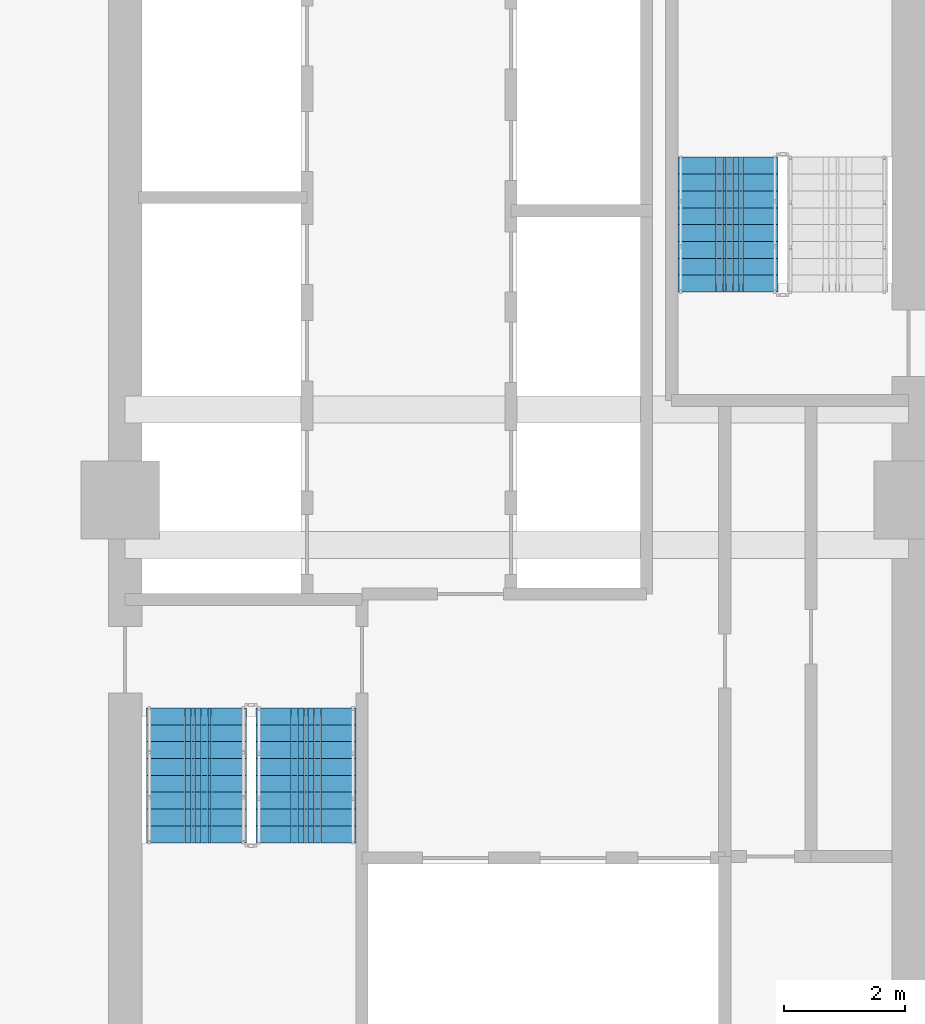
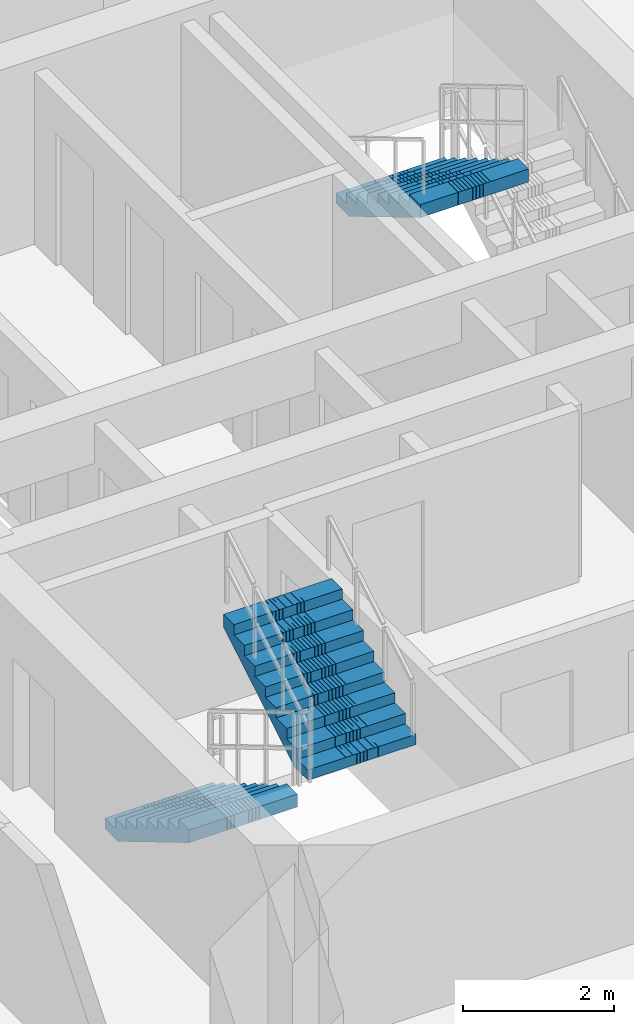
# One storey, part 21 of 26: 3 stair flights, 2 elements without a shape of their own.
"""IFC4 building model written with IfcOpenShell, lengths in metres."""

from ifc_helpers import new_model, si_unit, direction, frame, origin, place, context, subcontext, project, spatial, polyline, outline, extrude, material, type_object, element, aggregate, save


model = new_model("IFC4")

# Units and contexts
model_context = context("Model", 3, precision=1e-05, world=origin(), true_north=direction((0.0, 1.0)))
body_context = subcontext(model_context, "Body", "Model", "MODEL_VIEW")
ifc_project = project(units=[si_unit("LENGTHUNIT", "METRE"), si_unit("AREAUNIT", "SQUARE_METRE"), si_unit("VOLUMEUNIT", "CUBIC_METRE"), si_unit("PLANEANGLEUNIT", "RADIAN"), si_unit("MASSUNIT", "GRAM", prefix="KILO")], contexts=[model_context])

# Site, building, storey
site_placement = place(None, origin())
site = spatial("IfcSite", under=ifc_project, at=site_placement, CompositionType="ELEMENT")
building_placement = place(site_placement, origin())
building = spatial("IfcBuilding", under=site, at=building_placement, Name="Saelheon Loggia Tower", CompositionType="ELEMENT")
storey_placement = place(building_placement, frame((0.0, 0.0, 89.85009765625)))
storey = spatial("IfcBuildingStorey", under=building, at=storey_placement, Name="L28", CompositionType="ELEMENT", Elevation=89.85009765625)

# Stair, stair flights
ifc_material = material(Name="Concrete C40/50", Category="concrete")
stair_type = type_object("IfcStairType", Name="Stair_Escape_Core", PredefinedType="HALF_TURN_STAIR", material=ifc_material)
stair_1_placement = place(storey_placement, origin())
stair_1 = element("IfcStair", 1, at=stair_1_placement, inside=storey, type_object=stair_type, Name="L28 Special Escape Stair ST1", PredefinedType="HALF_TURN_STAIR")
stair_flight_type = type_object("IfcStairFlightType", Name="StairFlight_Tower_1660", PredefinedType="STRAIGHT", material=ifc_material)
stair_flight_1_placement = place(storey_placement, frame((32.679931640625, 23.550048828125, 0.0), z_axis=(0.0, 0.0, 1.0), x_axis=(0.0, -1.0, 0.0)))
stair_flight_1 = element("IfcStairFlight", 2, at=stair_flight_1_placement, type_object=stair_flight_type, Name="ST1 flight 1", NumberOfRisers=9, NumberOfTreads=8, PredefinedType="STRAIGHT", RiserHeight=0.166666667, TreadLength=0.28, context=body_context, shape_type="SweptSolid", body=[
    extrude(outline(polyline([(0.0, 0.0), (0.0, 0.166748046875), (0.280029296875, 0.166748046875), (0.280029296875, 0.333251953125), (0.56005859375, 0.333251953125), (0.56005859375, 0.5), (0.840087890625, 0.5), (0.840087890625, 0.666748046875), (1.1201171875, 0.666748046875), (1.1201171875, 0.833251953125), (1.39990234375, 0.833251953125), (1.39990234375, 1.0), (1.679931640625, 1.0), (1.679931640625, 1.166748046875), (1.9599609375, 1.166748046875), (1.9599609375, 1.333251953125), (2.239990234375, 1.333251953125), (2.239990234375, 1.5), (2.239990234375, 1.1240234375), (0.351806640625, 0.0), (0.0, 0.0)])), frame((0.0, -0.2490234375, 0.0), z_axis=(0.0, -1.0, 0.0), x_axis=(1.0, 0.0, 0.0)), (0.0, 0.0, 1.0), 0.5810546875),
    extrude(outline(polyline([(0.0, 0.0), (0.0, 0.166748046875), (0.280029296875, 0.166748046875), (0.280029296875, 0.333251953125), (0.56005859375, 0.333251953125), (0.56005859375, 0.5), (0.840087890625, 0.5), (0.840087890625, 0.666748046875), (1.1201171875, 0.666748046875), (1.1201171875, 0.833251953125), (1.39990234375, 0.833251953125), (1.39990234375, 1.0), (1.679931640625, 1.0), (1.679931640625, 1.166748046875), (1.9599609375, 1.166748046875), (1.9599609375, 1.333251953125), (2.239990234375, 1.333251953125), (2.239990234375, 1.5), (2.239990234375, 1.1240234375), (0.351806640625, 0.0), (0.0, 0.0)])), frame((0.0, -0.194091796875, 0.0), z_axis=(0.0, -1.0, 0.0), x_axis=(1.0, 0.0, 0.0)), (0.0, 0.0, 1.0), 0.0498046875),
    extrude(outline(polyline([(0.0, 0.0), (0.0, 0.166748046875), (0.280029296875, 0.166748046875), (0.280029296875, 0.333251953125), (0.56005859375, 0.333251953125), (0.56005859375, 0.5), (0.840087890625, 0.5), (0.840087890625, 0.666748046875), (1.1201171875, 0.666748046875), (1.1201171875, 0.833251953125), (1.39990234375, 0.833251953125), (1.39990234375, 1.0), (1.679931640625, 1.0), (1.679931640625, 1.166748046875), (1.9599609375, 1.166748046875), (1.9599609375, 1.333251953125), (2.239990234375, 1.333251953125), (2.239990234375, 1.5), (2.239990234375, 1.1240234375), (0.351806640625, 0.0), (0.0, 0.0)])), frame((0.0, -0.139404296875, 0.0), z_axis=(0.0, -1.0, 0.0), x_axis=(1.0, 0.0, 0.0)), (0.0, 0.0, 1.0), 0.0498046875),
    extrude(outline(polyline([(0.0, 0.0), (0.0, 0.166748046875), (0.280029296875, 0.166748046875), (0.280029296875, 0.333251953125), (0.56005859375, 0.333251953125), (0.56005859375, 0.5), (0.840087890625, 0.5), (0.840087890625, 0.666748046875), (1.1201171875, 0.666748046875), (1.1201171875, 0.833251953125), (1.39990234375, 0.833251953125), (1.39990234375, 1.0), (1.679931640625, 1.0), (1.679931640625, 1.166748046875), (1.9599609375, 1.166748046875), (1.9599609375, 1.333251953125), (2.239990234375, 1.333251953125), (2.239990234375, 1.5), (2.239990234375, 1.1240234375), (0.351806640625, 0.0), (0.0, 0.0)])), frame((0.0, -0.084716796875, 0.0), z_axis=(0.0, -1.0, 0.0), x_axis=(1.0, 0.0, 0.0)), (0.0, 0.0, 1.0), 0.0498046875),
    extrude(outline(polyline([(0.0, 0.0), (0.0, 0.166748046875), (0.280029296875, 0.166748046875), (0.280029296875, 0.333251953125), (0.56005859375, 0.333251953125), (0.56005859375, 0.5), (0.840087890625, 0.5), (0.840087890625, 0.666748046875), (1.1201171875, 0.666748046875), (1.1201171875, 0.833251953125), (1.39990234375, 0.833251953125), (1.39990234375, 1.0), (1.679931640625, 1.0), (1.679931640625, 1.166748046875), (1.9599609375, 1.166748046875), (1.9599609375, 1.333251953125), (2.239990234375, 1.333251953125), (2.239990234375, 1.5), (2.239990234375, 1.1240234375), (0.351806640625, 0.0), (0.0, 0.0)])), frame((0.0, -0.02978515625, 0.0), z_axis=(0.0, -1.0, 0.0), x_axis=(1.0, 0.0, 0.0)), (0.0, 0.0, 1.0), 0.0498046875),
    extrude(outline(polyline([(0.0, 0.0), (0.0, 0.166748046875), (0.280029296875, 0.166748046875), (0.280029296875, 0.333251953125), (0.56005859375, 0.333251953125), (0.56005859375, 0.5), (0.840087890625, 0.5), (0.840087890625, 0.666748046875), (1.1201171875, 0.666748046875), (1.1201171875, 0.833251953125), (1.39990234375, 0.833251953125), (1.39990234375, 1.0), (1.679931640625, 1.0), (1.679931640625, 1.166748046875), (1.9599609375, 1.166748046875), (1.9599609375, 1.333251953125), (2.239990234375, 1.333251953125), (2.239990234375, 1.5), (2.239990234375, 1.1240234375), (0.351806640625, 0.0), (0.0, 0.0)])), frame((0.0, 0.02490234375, 0.0), z_axis=(0.0, -1.0, 0.0), x_axis=(1.0, 0.0, 0.0)), (0.0, 0.0, 1.0), 0.0498046875),
    extrude(outline(polyline([(0.0, 0.0), (0.0, 0.166748046875), (0.280029296875, 0.166748046875), (0.280029296875, 0.333251953125), (0.56005859375, 0.333251953125), (0.56005859375, 0.5), (0.840087890625, 0.5), (0.840087890625, 0.666748046875), (1.1201171875, 0.666748046875), (1.1201171875, 0.833251953125), (1.39990234375, 0.833251953125), (1.39990234375, 1.0), (1.679931640625, 1.0), (1.679931640625, 1.166748046875), (1.9599609375, 1.166748046875), (1.9599609375, 1.333251953125), (2.239990234375, 1.333251953125), (2.239990234375, 1.5), (2.239990234375, 1.1240234375), (0.351806640625, 0.0), (0.0, 0.0)])), frame((0.0, 0.07958984375, 0.0), z_axis=(0.0, -1.0, 0.0), x_axis=(1.0, 0.0, 0.0)), (0.0, 0.0, 1.0), 0.0498046875),
    extrude(outline(polyline([(0.0, 0.0), (0.0, 0.166748046875), (0.280029296875, 0.166748046875), (0.280029296875, 0.333251953125), (0.56005859375, 0.333251953125), (0.56005859375, 0.5), (0.840087890625, 0.5), (0.840087890625, 0.666748046875), (1.1201171875, 0.666748046875), (1.1201171875, 0.833251953125), (1.39990234375, 0.833251953125), (1.39990234375, 1.0), (1.679931640625, 1.0), (1.679931640625, 1.166748046875), (1.9599609375, 1.166748046875), (1.9599609375, 1.333251953125), (2.239990234375, 1.333251953125), (2.239990234375, 1.5), (2.239990234375, 1.1240234375), (0.351806640625, 0.0), (0.0, 0.0)])), frame((0.0, 0.134521484375, 0.0), z_axis=(0.0, -1.0, 0.0), x_axis=(1.0, 0.0, 0.0)), (0.0, 0.0, 1.0), 0.0498046875),
    extrude(outline(polyline([(0.0, 0.0), (0.0, 0.166748046875), (0.280029296875, 0.166748046875), (0.280029296875, 0.333251953125), (0.56005859375, 0.333251953125), (0.56005859375, 0.5), (0.840087890625, 0.5), (0.840087890625, 0.666748046875), (1.1201171875, 0.666748046875), (1.1201171875, 0.833251953125), (1.39990234375, 0.833251953125), (1.39990234375, 1.0), (1.679931640625, 1.0), (1.679931640625, 1.166748046875), (1.9599609375, 1.166748046875), (1.9599609375, 1.333251953125), (2.239990234375, 1.333251953125), (2.239990234375, 1.5), (2.239990234375, 1.1240234375), (0.351806640625, 0.0), (0.0, 0.0)])), frame((0.0, 0.189208984375, 0.0), z_axis=(0.0, -1.0, 0.0), x_axis=(1.0, 0.0, 0.0)), (0.0, 0.0, 1.0), 0.0498046875),
    extrude(outline(polyline([(0.0, 0.0), (0.0, 0.166748046875), (0.280029296875, 0.166748046875), (0.280029296875, 0.333251953125), (0.56005859375, 0.333251953125), (0.56005859375, 0.5), (0.840087890625, 0.5), (0.840087890625, 0.666748046875), (1.1201171875, 0.666748046875), (1.1201171875, 0.833251953125), (1.39990234375, 0.833251953125), (1.39990234375, 1.0), (1.679931640625, 1.0), (1.679931640625, 1.166748046875), (1.9599609375, 1.166748046875), (1.9599609375, 1.333251953125), (2.239990234375, 1.333251953125), (2.239990234375, 1.5), (2.239990234375, 1.1240234375), (0.351806640625, 0.0), (0.0, 0.0)])), frame((0.0, 0.243896484375, 0.0), z_axis=(0.0, -1.0, 0.0), x_axis=(1.0, 0.0, 0.0)), (0.0, 0.0, 1.0), 0.0498046875),
    extrude(outline(polyline([(0.0, 0.0), (0.0, 0.166748046875), (0.280029296875, 0.166748046875), (0.280029296875, 0.333251953125), (0.56005859375, 0.333251953125), (0.56005859375, 0.5), (0.840087890625, 0.5), (0.840087890625, 0.666748046875), (1.1201171875, 0.666748046875), (1.1201171875, 0.833251953125), (1.39990234375, 0.833251953125), (1.39990234375, 1.0), (1.679931640625, 1.0), (1.679931640625, 1.166748046875), (1.9599609375, 1.166748046875), (1.9599609375, 1.333251953125), (2.239990234375, 1.333251953125), (2.239990234375, 1.5), (2.239990234375, 1.1240234375), (0.351806640625, 0.0), (0.0, 0.0)])), frame((0.0, 0.830078125, 0.0), z_axis=(0.0, -1.0, 0.0), x_axis=(1.0, 0.0, 0.0)), (0.0, 0.0, 1.0), 0.5810546875),
])
stair_flight_2_placement = place(storey_placement, frame((34.5, 21.31005859375, 1.5), z_axis=(0.0, 0.0, 1.0), x_axis=(0.0, 1.0, 0.0)))
stair_flight_2 = element("IfcStairFlight", 3, at=stair_flight_2_placement, type_object=stair_flight_type, Name="ST1 flight 2", NumberOfRisers=9, NumberOfTreads=8, PredefinedType="STRAIGHT", RiserHeight=0.166666667, TreadLength=0.28, context=body_context, shape_type="SweptSolid", body=[
    extrude(outline(polyline([(0.0, 0.0), (0.0, 0.166748046875), (0.280029296875, 0.166748046875), (0.280029296875, 0.333251953125), (0.56005859375, 0.333251953125), (0.56005859375, 0.5), (0.840087890625, 0.5), (0.840087890625, 0.666748046875), (1.1201171875, 0.666748046875), (1.1201171875, 0.833251953125), (1.39990234375, 0.833251953125), (1.39990234375, 1.0), (1.679931640625, 1.0), (1.679931640625, 1.166748046875), (1.9599609375, 1.166748046875), (1.9599609375, 1.333251953125), (2.239990234375, 1.333251953125), (2.239990234375, 1.5), (2.239990234375, 1.1240234375), (0.351806640625, 0.0), (0.0, 0.0)])), frame((0.0, -0.2490234375, 0.0), z_axis=(0.0, -1.0, 0.0), x_axis=(1.0, 0.0, 0.0)), (0.0, 0.0, 1.0), 0.5810546875),
    extrude(outline(polyline([(0.0, 0.0), (0.0, 0.166748046875), (0.280029296875, 0.166748046875), (0.280029296875, 0.333251953125), (0.56005859375, 0.333251953125), (0.56005859375, 0.5), (0.840087890625, 0.5), (0.840087890625, 0.666748046875), (1.1201171875, 0.666748046875), (1.1201171875, 0.833251953125), (1.39990234375, 0.833251953125), (1.39990234375, 1.0), (1.679931640625, 1.0), (1.679931640625, 1.166748046875), (1.9599609375, 1.166748046875), (1.9599609375, 1.333251953125), (2.239990234375, 1.333251953125), (2.239990234375, 1.5), (2.239990234375, 1.1240234375), (0.351806640625, 0.0), (0.0, 0.0)])), frame((0.0, -0.194091796875, 0.0), z_axis=(0.0, -1.0, 0.0), x_axis=(1.0, 0.0, 0.0)), (0.0, 0.0, 1.0), 0.0498046875),
    extrude(outline(polyline([(0.0, 0.0), (0.0, 0.166748046875), (0.280029296875, 0.166748046875), (0.280029296875, 0.333251953125), (0.56005859375, 0.333251953125), (0.56005859375, 0.5), (0.840087890625, 0.5), (0.840087890625, 0.666748046875), (1.1201171875, 0.666748046875), (1.1201171875, 0.833251953125), (1.39990234375, 0.833251953125), (1.39990234375, 1.0), (1.679931640625, 1.0), (1.679931640625, 1.166748046875), (1.9599609375, 1.166748046875), (1.9599609375, 1.333251953125), (2.239990234375, 1.333251953125), (2.239990234375, 1.5), (2.239990234375, 1.1240234375), (0.351806640625, 0.0), (0.0, 0.0)])), frame((0.0, -0.139404296875, 0.0), z_axis=(0.0, -1.0, 0.0), x_axis=(1.0, 0.0, 0.0)), (0.0, 0.0, 1.0), 0.0498046875),
    extrude(outline(polyline([(0.0, 0.0), (0.0, 0.166748046875), (0.280029296875, 0.166748046875), (0.280029296875, 0.333251953125), (0.56005859375, 0.333251953125), (0.56005859375, 0.5), (0.840087890625, 0.5), (0.840087890625, 0.666748046875), (1.1201171875, 0.666748046875), (1.1201171875, 0.833251953125), (1.39990234375, 0.833251953125), (1.39990234375, 1.0), (1.679931640625, 1.0), (1.679931640625, 1.166748046875), (1.9599609375, 1.166748046875), (1.9599609375, 1.333251953125), (2.239990234375, 1.333251953125), (2.239990234375, 1.5), (2.239990234375, 1.1240234375), (0.351806640625, 0.0), (0.0, 0.0)])), frame((0.0, -0.084716796875, 0.0), z_axis=(0.0, -1.0, 0.0), x_axis=(1.0, 0.0, 0.0)), (0.0, 0.0, 1.0), 0.0498046875),
    extrude(outline(polyline([(0.0, 0.0), (0.0, 0.166748046875), (0.280029296875, 0.166748046875), (0.280029296875, 0.333251953125), (0.56005859375, 0.333251953125), (0.56005859375, 0.5), (0.840087890625, 0.5), (0.840087890625, 0.666748046875), (1.1201171875, 0.666748046875), (1.1201171875, 0.833251953125), (1.39990234375, 0.833251953125), (1.39990234375, 1.0), (1.679931640625, 1.0), (1.679931640625, 1.166748046875), (1.9599609375, 1.166748046875), (1.9599609375, 1.333251953125), (2.239990234375, 1.333251953125), (2.239990234375, 1.5), (2.239990234375, 1.1240234375), (0.351806640625, 0.0), (0.0, 0.0)])), frame((0.0, -0.02978515625, 0.0), z_axis=(0.0, -1.0, 0.0), x_axis=(1.0, 0.0, 0.0)), (0.0, 0.0, 1.0), 0.0498046875),
    extrude(outline(polyline([(0.0, 0.0), (0.0, 0.166748046875), (0.280029296875, 0.166748046875), (0.280029296875, 0.333251953125), (0.56005859375, 0.333251953125), (0.56005859375, 0.5), (0.840087890625, 0.5), (0.840087890625, 0.666748046875), (1.1201171875, 0.666748046875), (1.1201171875, 0.833251953125), (1.39990234375, 0.833251953125), (1.39990234375, 1.0), (1.679931640625, 1.0), (1.679931640625, 1.166748046875), (1.9599609375, 1.166748046875), (1.9599609375, 1.333251953125), (2.239990234375, 1.333251953125), (2.239990234375, 1.5), (2.239990234375, 1.1240234375), (0.351806640625, 0.0), (0.0, 0.0)])), frame((0.0, 0.02490234375, 0.0), z_axis=(0.0, -1.0, 0.0), x_axis=(1.0, 0.0, 0.0)), (0.0, 0.0, 1.0), 0.0498046875),
    extrude(outline(polyline([(0.0, 0.0), (0.0, 0.166748046875), (0.280029296875, 0.166748046875), (0.280029296875, 0.333251953125), (0.56005859375, 0.333251953125), (0.56005859375, 0.5), (0.840087890625, 0.5), (0.840087890625, 0.666748046875), (1.1201171875, 0.666748046875), (1.1201171875, 0.833251953125), (1.39990234375, 0.833251953125), (1.39990234375, 1.0), (1.679931640625, 1.0), (1.679931640625, 1.166748046875), (1.9599609375, 1.166748046875), (1.9599609375, 1.333251953125), (2.239990234375, 1.333251953125), (2.239990234375, 1.5), (2.239990234375, 1.1240234375), (0.351806640625, 0.0), (0.0, 0.0)])), frame((0.0, 0.07958984375, 0.0), z_axis=(0.0, -1.0, 0.0), x_axis=(1.0, 0.0, 0.0)), (0.0, 0.0, 1.0), 0.0498046875),
    extrude(outline(polyline([(0.0, 0.0), (0.0, 0.166748046875), (0.280029296875, 0.166748046875), (0.280029296875, 0.333251953125), (0.56005859375, 0.333251953125), (0.56005859375, 0.5), (0.840087890625, 0.5), (0.840087890625, 0.666748046875), (1.1201171875, 0.666748046875), (1.1201171875, 0.833251953125), (1.39990234375, 0.833251953125), (1.39990234375, 1.0), (1.679931640625, 1.0), (1.679931640625, 1.166748046875), (1.9599609375, 1.166748046875), (1.9599609375, 1.333251953125), (2.239990234375, 1.333251953125), (2.239990234375, 1.5), (2.239990234375, 1.1240234375), (0.351806640625, 0.0), (0.0, 0.0)])), frame((0.0, 0.134521484375, 0.0), z_axis=(0.0, -1.0, 0.0), x_axis=(1.0, 0.0, 0.0)), (0.0, 0.0, 1.0), 0.0498046875),
    extrude(outline(polyline([(0.0, 0.0), (0.0, 0.166748046875), (0.280029296875, 0.166748046875), (0.280029296875, 0.333251953125), (0.56005859375, 0.333251953125), (0.56005859375, 0.5), (0.840087890625, 0.5), (0.840087890625, 0.666748046875), (1.1201171875, 0.666748046875), (1.1201171875, 0.833251953125), (1.39990234375, 0.833251953125), (1.39990234375, 1.0), (1.679931640625, 1.0), (1.679931640625, 1.166748046875), (1.9599609375, 1.166748046875), (1.9599609375, 1.333251953125), (2.239990234375, 1.333251953125), (2.239990234375, 1.5), (2.239990234375, 1.1240234375), (0.351806640625, 0.0), (0.0, 0.0)])), frame((0.0, 0.189208984375, 0.0), z_axis=(0.0, -1.0, 0.0), x_axis=(1.0, 0.0, 0.0)), (0.0, 0.0, 1.0), 0.0498046875),
    extrude(outline(polyline([(0.0, 0.0), (0.0, 0.166748046875), (0.280029296875, 0.166748046875), (0.280029296875, 0.333251953125), (0.56005859375, 0.333251953125), (0.56005859375, 0.5), (0.840087890625, 0.5), (0.840087890625, 0.666748046875), (1.1201171875, 0.666748046875), (1.1201171875, 0.833251953125), (1.39990234375, 0.833251953125), (1.39990234375, 1.0), (1.679931640625, 1.0), (1.679931640625, 1.166748046875), (1.9599609375, 1.166748046875), (1.9599609375, 1.333251953125), (2.239990234375, 1.333251953125), (2.239990234375, 1.5), (2.239990234375, 1.1240234375), (0.351806640625, 0.0), (0.0, 0.0)])), frame((0.0, 0.243896484375, 0.0), z_axis=(0.0, -1.0, 0.0), x_axis=(1.0, 0.0, 0.0)), (0.0, 0.0, 1.0), 0.0498046875),
    extrude(outline(polyline([(0.0, 0.0), (0.0, 0.166748046875), (0.280029296875, 0.166748046875), (0.280029296875, 0.333251953125), (0.56005859375, 0.333251953125), (0.56005859375, 0.5), (0.840087890625, 0.5), (0.840087890625, 0.666748046875), (1.1201171875, 0.666748046875), (1.1201171875, 0.833251953125), (1.39990234375, 0.833251953125), (1.39990234375, 1.0), (1.679931640625, 1.0), (1.679931640625, 1.166748046875), (1.9599609375, 1.166748046875), (1.9599609375, 1.333251953125), (2.239990234375, 1.333251953125), (2.239990234375, 1.5), (2.239990234375, 1.1240234375), (0.351806640625, 0.0), (0.0, 0.0)])), frame((0.0, 0.830078125, 0.0), z_axis=(0.0, -1.0, 0.0), x_axis=(1.0, 0.0, 0.0)), (0.0, 0.0, 1.0), 0.5810546875),
])
aggregate(stair_1, [stair_flight_1, stair_flight_2])

# Stair, stair flight
stair_2_placement = place(storey_placement, origin())
stair_2 = element("IfcStair", 4, at=stair_2_placement, inside=storey, type_object=stair_type, Name="L28 Special Escape Stair ST2", PredefinedType="HALF_TURN_STAIR")
stair_flight_3_placement = place(storey_placement, frame((41.5, 32.68994140625, 1.5), z_axis=(0.0, 0.0, 1.0), x_axis=(0.0, -1.0, 0.0)))
stair_flight_3 = element("IfcStairFlight", 5, at=stair_flight_3_placement, type_object=stair_flight_type, Name="ST2 flight 2", NumberOfRisers=9, NumberOfTreads=8, PredefinedType="STRAIGHT", RiserHeight=0.166666667, TreadLength=0.28, context=body_context, shape_type="SweptSolid", body=[
    extrude(outline(polyline([(0.0, 0.0), (0.0, 0.166748046875), (0.280029296875, 0.166748046875), (0.280029296875, 0.333251953125), (0.56005859375, 0.333251953125), (0.56005859375, 0.5), (0.840087890625, 0.5), (0.840087890625, 0.666748046875), (1.1201171875, 0.666748046875), (1.1201171875, 0.833251953125), (1.39990234375, 0.833251953125), (1.39990234375, 1.0), (1.679931640625, 1.0), (1.679931640625, 1.166748046875), (1.9599609375, 1.166748046875), (1.9599609375, 1.333251953125), (2.239990234375, 1.333251953125), (2.239990234375, 1.5), (2.239990234375, 1.1240234375), (0.351806640625, 0.0), (0.0, 0.0)])), frame((0.0, -0.2490234375, 0.0), z_axis=(0.0, -1.0, 0.0), x_axis=(1.0, 0.0, 0.0)), (0.0, 0.0, 1.0), 0.5810546875),
    extrude(outline(polyline([(0.0, 0.0), (0.0, 0.166748046875), (0.280029296875, 0.166748046875), (0.280029296875, 0.333251953125), (0.56005859375, 0.333251953125), (0.56005859375, 0.5), (0.840087890625, 0.5), (0.840087890625, 0.666748046875), (1.1201171875, 0.666748046875), (1.1201171875, 0.833251953125), (1.39990234375, 0.833251953125), (1.39990234375, 1.0), (1.679931640625, 1.0), (1.679931640625, 1.166748046875), (1.9599609375, 1.166748046875), (1.9599609375, 1.333251953125), (2.239990234375, 1.333251953125), (2.239990234375, 1.5), (2.239990234375, 1.1240234375), (0.351806640625, 0.0), (0.0, 0.0)])), frame((0.0, -0.194091796875, 0.0), z_axis=(0.0, -1.0, 0.0), x_axis=(1.0, 0.0, 0.0)), (0.0, 0.0, 1.0), 0.0498046875),
    extrude(outline(polyline([(0.0, 0.0), (0.0, 0.166748046875), (0.280029296875, 0.166748046875), (0.280029296875, 0.333251953125), (0.56005859375, 0.333251953125), (0.56005859375, 0.5), (0.840087890625, 0.5), (0.840087890625, 0.666748046875), (1.1201171875, 0.666748046875), (1.1201171875, 0.833251953125), (1.39990234375, 0.833251953125), (1.39990234375, 1.0), (1.679931640625, 1.0), (1.679931640625, 1.166748046875), (1.9599609375, 1.166748046875), (1.9599609375, 1.333251953125), (2.239990234375, 1.333251953125), (2.239990234375, 1.5), (2.239990234375, 1.1240234375), (0.351806640625, 0.0), (0.0, 0.0)])), frame((0.0, -0.139404296875, 0.0), z_axis=(0.0, -1.0, 0.0), x_axis=(1.0, 0.0, 0.0)), (0.0, 0.0, 1.0), 0.0498046875),
    extrude(outline(polyline([(0.0, 0.0), (0.0, 0.166748046875), (0.280029296875, 0.166748046875), (0.280029296875, 0.333251953125), (0.56005859375, 0.333251953125), (0.56005859375, 0.5), (0.840087890625, 0.5), (0.840087890625, 0.666748046875), (1.1201171875, 0.666748046875), (1.1201171875, 0.833251953125), (1.39990234375, 0.833251953125), (1.39990234375, 1.0), (1.679931640625, 1.0), (1.679931640625, 1.166748046875), (1.9599609375, 1.166748046875), (1.9599609375, 1.333251953125), (2.239990234375, 1.333251953125), (2.239990234375, 1.5), (2.239990234375, 1.1240234375), (0.351806640625, 0.0), (0.0, 0.0)])), frame((0.0, -0.084716796875, 0.0), z_axis=(0.0, -1.0, 0.0), x_axis=(1.0, 0.0, 0.0)), (0.0, 0.0, 1.0), 0.0498046875),
    extrude(outline(polyline([(0.0, 0.0), (0.0, 0.166748046875), (0.280029296875, 0.166748046875), (0.280029296875, 0.333251953125), (0.56005859375, 0.333251953125), (0.56005859375, 0.5), (0.840087890625, 0.5), (0.840087890625, 0.666748046875), (1.1201171875, 0.666748046875), (1.1201171875, 0.833251953125), (1.39990234375, 0.833251953125), (1.39990234375, 1.0), (1.679931640625, 1.0), (1.679931640625, 1.166748046875), (1.9599609375, 1.166748046875), (1.9599609375, 1.333251953125), (2.239990234375, 1.333251953125), (2.239990234375, 1.5), (2.239990234375, 1.1240234375), (0.351806640625, 0.0), (0.0, 0.0)])), frame((0.0, -0.02978515625, 0.0), z_axis=(0.0, -1.0, 0.0), x_axis=(1.0, 0.0, 0.0)), (0.0, 0.0, 1.0), 0.0498046875),
    extrude(outline(polyline([(0.0, 0.0), (0.0, 0.166748046875), (0.280029296875, 0.166748046875), (0.280029296875, 0.333251953125), (0.56005859375, 0.333251953125), (0.56005859375, 0.5), (0.840087890625, 0.5), (0.840087890625, 0.666748046875), (1.1201171875, 0.666748046875), (1.1201171875, 0.833251953125), (1.39990234375, 0.833251953125), (1.39990234375, 1.0), (1.679931640625, 1.0), (1.679931640625, 1.166748046875), (1.9599609375, 1.166748046875), (1.9599609375, 1.333251953125), (2.239990234375, 1.333251953125), (2.239990234375, 1.5), (2.239990234375, 1.1240234375), (0.351806640625, 0.0), (0.0, 0.0)])), frame((0.0, 0.02490234375, 0.0), z_axis=(0.0, -1.0, 0.0), x_axis=(1.0, 0.0, 0.0)), (0.0, 0.0, 1.0), 0.0498046875),
    extrude(outline(polyline([(0.0, 0.0), (0.0, 0.166748046875), (0.280029296875, 0.166748046875), (0.280029296875, 0.333251953125), (0.56005859375, 0.333251953125), (0.56005859375, 0.5), (0.840087890625, 0.5), (0.840087890625, 0.666748046875), (1.1201171875, 0.666748046875), (1.1201171875, 0.833251953125), (1.39990234375, 0.833251953125), (1.39990234375, 1.0), (1.679931640625, 1.0), (1.679931640625, 1.166748046875), (1.9599609375, 1.166748046875), (1.9599609375, 1.333251953125), (2.239990234375, 1.333251953125), (2.239990234375, 1.5), (2.239990234375, 1.1240234375), (0.351806640625, 0.0), (0.0, 0.0)])), frame((0.0, 0.07958984375, 0.0), z_axis=(0.0, -1.0, 0.0), x_axis=(1.0, 0.0, 0.0)), (0.0, 0.0, 1.0), 0.0498046875),
    extrude(outline(polyline([(0.0, 0.0), (0.0, 0.166748046875), (0.280029296875, 0.166748046875), (0.280029296875, 0.333251953125), (0.56005859375, 0.333251953125), (0.56005859375, 0.5), (0.840087890625, 0.5), (0.840087890625, 0.666748046875), (1.1201171875, 0.666748046875), (1.1201171875, 0.833251953125), (1.39990234375, 0.833251953125), (1.39990234375, 1.0), (1.679931640625, 1.0), (1.679931640625, 1.166748046875), (1.9599609375, 1.166748046875), (1.9599609375, 1.333251953125), (2.239990234375, 1.333251953125), (2.239990234375, 1.5), (2.239990234375, 1.1240234375), (0.351806640625, 0.0), (0.0, 0.0)])), frame((0.0, 0.134521484375, 0.0), z_axis=(0.0, -1.0, 0.0), x_axis=(1.0, 0.0, 0.0)), (0.0, 0.0, 1.0), 0.0498046875),
    extrude(outline(polyline([(0.0, 0.0), (0.0, 0.166748046875), (0.280029296875, 0.166748046875), (0.280029296875, 0.333251953125), (0.56005859375, 0.333251953125), (0.56005859375, 0.5), (0.840087890625, 0.5), (0.840087890625, 0.666748046875), (1.1201171875, 0.666748046875), (1.1201171875, 0.833251953125), (1.39990234375, 0.833251953125), (1.39990234375, 1.0), (1.679931640625, 1.0), (1.679931640625, 1.166748046875), (1.9599609375, 1.166748046875), (1.9599609375, 1.333251953125), (2.239990234375, 1.333251953125), (2.239990234375, 1.5), (2.239990234375, 1.1240234375), (0.351806640625, 0.0), (0.0, 0.0)])), frame((0.0, 0.189208984375, 0.0), z_axis=(0.0, -1.0, 0.0), x_axis=(1.0, 0.0, 0.0)), (0.0, 0.0, 1.0), 0.0498046875),
    extrude(outline(polyline([(0.0, 0.0), (0.0, 0.166748046875), (0.280029296875, 0.166748046875), (0.280029296875, 0.333251953125), (0.56005859375, 0.333251953125), (0.56005859375, 0.5), (0.840087890625, 0.5), (0.840087890625, 0.666748046875), (1.1201171875, 0.666748046875), (1.1201171875, 0.833251953125), (1.39990234375, 0.833251953125), (1.39990234375, 1.0), (1.679931640625, 1.0), (1.679931640625, 1.166748046875), (1.9599609375, 1.166748046875), (1.9599609375, 1.333251953125), (2.239990234375, 1.333251953125), (2.239990234375, 1.5), (2.239990234375, 1.1240234375), (0.351806640625, 0.0), (0.0, 0.0)])), frame((0.0, 0.243896484375, 0.0), z_axis=(0.0, -1.0, 0.0), x_axis=(1.0, 0.0, 0.0)), (0.0, 0.0, 1.0), 0.0498046875),
    extrude(outline(polyline([(0.0, 0.0), (0.0, 0.166748046875), (0.280029296875, 0.166748046875), (0.280029296875, 0.333251953125), (0.56005859375, 0.333251953125), (0.56005859375, 0.5), (0.840087890625, 0.5), (0.840087890625, 0.666748046875), (1.1201171875, 0.666748046875), (1.1201171875, 0.833251953125), (1.39990234375, 0.833251953125), (1.39990234375, 1.0), (1.679931640625, 1.0), (1.679931640625, 1.166748046875), (1.9599609375, 1.166748046875), (1.9599609375, 1.333251953125), (2.239990234375, 1.333251953125), (2.239990234375, 1.5), (2.239990234375, 1.1240234375), (0.351806640625, 0.0), (0.0, 0.0)])), frame((0.0, 0.830078125, 0.0), z_axis=(0.0, -1.0, 0.0), x_axis=(1.0, 0.0, 0.0)), (0.0, 0.0, 1.0), 0.5810546875),
])
aggregate(stair_2, [stair_flight_3])

save(model, "model.ifc")
